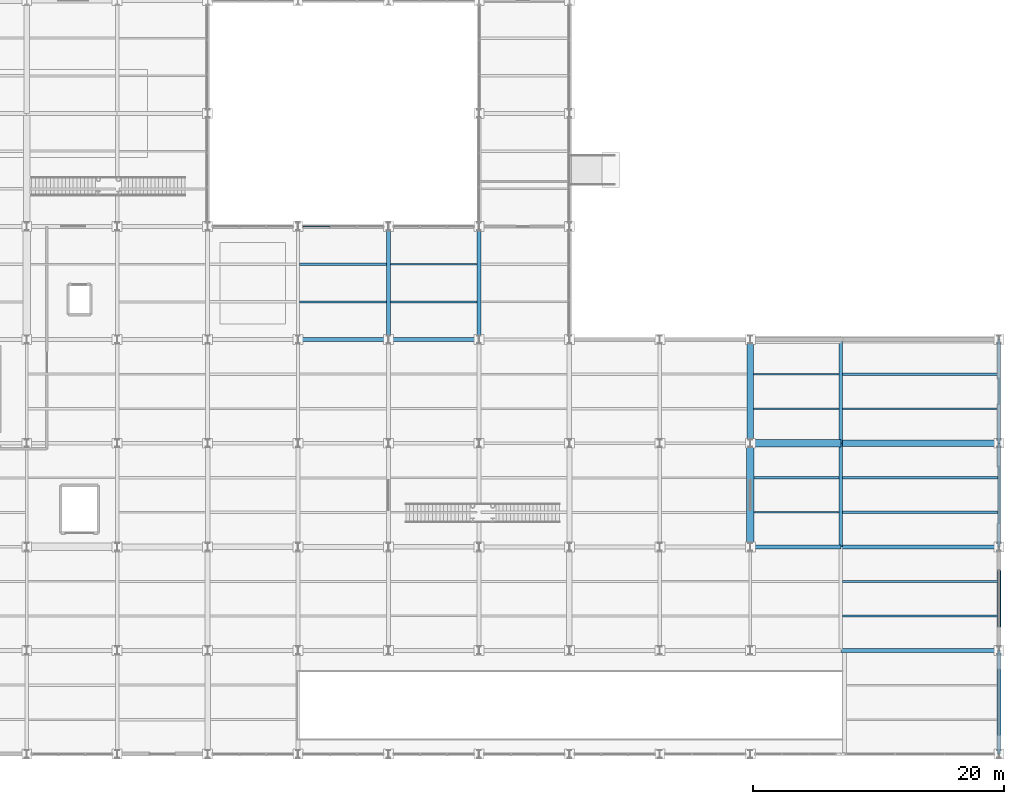
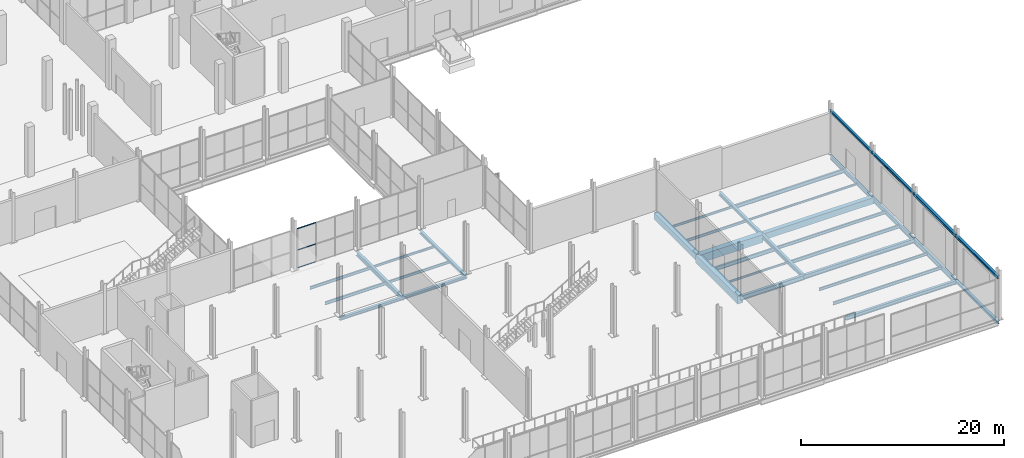
# One storey, part 87 of 144: 35 beams, 3 members, 1 element without a shape of its own.
"""IFC4 building model written with IfcOpenShell, lengths in metres."""

from ifc_helpers import new_model, si_unit, direction, frame, origin, origin_2d, place, context, subcontext, project, spatial, rectangle, hollow_rectangle, i_section, extrude, material, layer, layer_set, material_profile, profile_set, type_object, element, aggregate, save


model = new_model("IFC4")

# Units and contexts
model_context = context("Model", 3, precision=1e-05, world=origin(), true_north=direction((0.0, 1.0)))
body_context = subcontext(model_context, "Body", "Model", "MODEL_VIEW")
ifc_project = project(units=[si_unit("LENGTHUNIT", "METRE"), si_unit("AREAUNIT", "SQUARE_METRE"), si_unit("VOLUMEUNIT", "CUBIC_METRE"), si_unit("PLANEANGLEUNIT", "RADIAN"), si_unit("MASSUNIT", "GRAM", prefix="KILO")], contexts=[model_context])

# Site, building, storey
site_placement = place(None, origin())
site = spatial("IfcSite", under=ifc_project, at=site_placement, CompositionType="ELEMENT")
building_placement = place(site_placement, origin())
building = spatial("IfcBuilding", under=site, at=building_placement, Name="Sundgate Opera House", CompositionType="ELEMENT")
storey_placement = place(building_placement, origin())
storey = spatial("IfcBuildingStorey", under=building, at=storey_placement, Name="L00", CompositionType="ELEMENT", Elevation=0.0)

# Beams
ifc_material_1 = material(Name="Steel S355J2", Category="steel")
ifc_material_profile_1 = material_profile(ifc_material_1, i_section(OverallWidth=0.300048828125, OverallDepth=0.330078125, WebThickness=0.009521484375, FlangeThickness=0.0166015625, at=origin_2d()), Name="HEA 340")
ifc_profile_set_1 = profile_set([ifc_material_profile_1], Name="Steel S355J2")
beam_type_1 = type_object("IfcBeamType", Name="BM-GR-HEA340", PredefinedType="BEAM", material=ifc_profile_set_1)
beam_1_placement = place(storey_placement, frame((180.0, 0.0, -0.485107421875), z_axis=(0.0, 1.0, 0.0), x_axis=(-1.0, 0.0, 0.0)))
element("IfcBeam", 1, at=beam_1_placement, inside=storey, type_object=beam_type_1, Name="L00 Primary N-S Girder B0313", PredefinedType="BEAM", context=body_context, shape_type="SweptSolid", body=[
    extrude(i_section(OverallWidth=0.300048828125, OverallDepth=0.330078125, WebThickness=0.009521484375, FlangeThickness=0.0166015625, at=origin_2d()), origin(), (0.0, 0.0, 1.0), 8.25),
])
beam_2_placement = place(storey_placement, frame((131.39990234375, 33.0, -0.485107421875), z_axis=(1.0, 0.0, 0.0), x_axis=(0.0, 1.0, 0.0)))
element("IfcBeam", 2, at=beam_2_placement, inside=storey, type_object=beam_type_1, Name="L00 Primary E-W Girder B0401", PredefinedType="BEAM", context=body_context, shape_type="SweptSolid", body=[
    extrude(i_section(OverallWidth=0.300048828125, OverallDepth=0.330078125, WebThickness=0.009521484375, FlangeThickness=0.0166015625, at=origin_2d()), origin(), (0.0, 0.0, 1.0), 7.2001953125),
])
ifc_material_2 = material(Name="Steel S355J2", Category="steel")
ifc_material_profile_2 = material_profile(ifc_material_2, i_section(OverallWidth=0.300048828125, OverallDepth=0.35009765625, WebThickness=0.010009765625, FlangeThickness=0.017578125, at=origin_2d()), Name="HEA 360")
ifc_profile_set_2 = profile_set([ifc_material_profile_2], Name="Steel S355J2")
beam_type_2 = type_object("IfcBeamType", Name="BM-GR-HEA360", PredefinedType="BEAM", material=ifc_profile_set_2)
beam_3_placement = place(storey_placement, frame((138.60009765625, 33.0, -0.4951171875), z_axis=(0.0, 1.0, 0.0), x_axis=(-1.0, 0.0, 0.0)))
element("IfcBeam", 3, at=beam_3_placement, inside=storey, type_object=beam_type_2, Name="L00 Primary N-S Girder B0269", PredefinedType="BEAM", context=body_context, shape_type="SweptSolid", body=[
    extrude(i_section(OverallWidth=0.300048828125, OverallDepth=0.35009765625, WebThickness=0.010009765625, FlangeThickness=0.017578125, at=origin_2d()), origin(), (0.0, 0.0, 1.0), 9.0),
])
beam_4_placement = place(storey_placement, frame((124.199951171875, 33.0, -0.4951171875), z_axis=(1.0, 0.0, 0.0), x_axis=(0.0, 1.0, 0.0)))
element("IfcBeam", 4, at=beam_4_placement, inside=storey, type_object=beam_type_2, Name="L00 Primary E-W Girder B0400", PredefinedType="BEAM", context=body_context, shape_type="SweptSolid", body=[
    extrude(i_section(OverallWidth=0.300048828125, OverallDepth=0.35009765625, WebThickness=0.010009765625, FlangeThickness=0.017578125, at=origin_2d()), origin(), (0.0, 0.0, 1.0), 7.199951171875),
])
ifc_material_3 = material(Name="Steel S355J2", Category="steel")
ifc_material_profile_3 = material_profile(ifc_material_3, i_section(OverallWidth=0.300048828125, OverallDepth=0.43994140625, WebThickness=0.011474609375, FlangeThickness=0.02099609375, at=origin_2d()), Name="HEA 450")
ifc_profile_set_3 = profile_set([ifc_material_profile_3], Name="Steel S355J2")
beam_type_3 = type_object("IfcBeamType", Name="BM-GR-HEA450", PredefinedType="BEAM", material=ifc_profile_set_3)
beam_5_placement = place(storey_placement, frame((167.39990234375, 8.25, -0.5400390625), z_axis=(1.0, 0.0, 0.0), x_axis=(0.0, 1.0, 0.0)))
element("IfcBeam", 5, at=beam_5_placement, inside=storey, type_object=beam_type_3, Name="L00 Primary E-W Girder B0354", PredefinedType="BEAM", context=body_context, shape_type="SweptSolid", body=[
    extrude(i_section(OverallWidth=0.300048828125, OverallDepth=0.43994140625, WebThickness=0.011474609375, FlangeThickness=0.02099609375, at=origin_2d()), origin(), (0.0, 0.0, 1.0), 12.60009765625),
])
ifc_material_4 = material(Name="Steel S355J2", Category="steel")
ifc_material_profile_4 = material_profile(ifc_material_4, i_section(OverallWidth=0.300048828125, OverallDepth=0.39990234375, WebThickness=0.013427734375, FlangeThickness=0.02392578125, at=origin_2d()), Name="HEB 400")
ifc_profile_set_4 = profile_set([ifc_material_profile_4], Name="Steel S355J2")
beam_type_4 = type_object("IfcBeamType", Name="BM-GR-HEB400", PredefinedType="BEAM", material=ifc_profile_set_4)
beam_6_placement = place(storey_placement, frame((167.39990234375, 24.75, -0.52001953125), z_axis=(0.0, 1.0, 0.0), x_axis=(-1.0, 0.0, 0.0)))
element("IfcBeam", 6, at=beam_6_placement, inside=storey, type_object=beam_type_4, Name="L00 Primary N-S Girder B0306", PredefinedType="BEAM", context=body_context, shape_type="SweptSolid", body=[
    extrude(i_section(OverallWidth=0.300048828125, OverallDepth=0.39990234375, WebThickness=0.013427734375, FlangeThickness=0.02392578125, at=origin_2d()), origin(), (0.0, 0.0, 1.0), 8.25),
])
ifc_material_5 = material(Name="Steel S355J2", Category="steel")
ifc_material_profile_5 = material_profile(ifc_material_5, i_section(OverallWidth=0.300048828125, OverallDepth=0.449951171875, WebThickness=0.013916015625, FlangeThickness=0.02587890625, at=origin_2d()), Name="HEB 450")
ifc_profile_set_5 = profile_set([ifc_material_profile_5], Name="Steel S355J2")
beam_type_5 = type_object("IfcBeamType", Name="BM-GR-HEB450", PredefinedType="BEAM", material=ifc_profile_set_5)
beam_7_placement = place(storey_placement, frame((167.39990234375, 16.5, -0.544921875), z_axis=(0.0, 1.0, 0.0), x_axis=(-1.0, 0.0, 0.0)))
element("IfcBeam", 7, at=beam_7_placement, inside=storey, type_object=beam_type_5, Name="L00 Primary N-S Girder B0305", PredefinedType="BEAM", context=body_context, shape_type="SweptSolid", body=[
    extrude(i_section(OverallWidth=0.300048828125, OverallDepth=0.449951171875, WebThickness=0.013916015625, FlangeThickness=0.02587890625, at=origin_2d()), origin(), (0.0, 0.0, 1.0), 8.25),
])
ifc_material_6 = material(Name="Steel S355J2", Category="steel")
ifc_material_profile_6 = material_profile(ifc_material_6, i_section(OverallWidth=0.300048828125, OverallDepth=0.5, WebThickness=0.014404296875, FlangeThickness=0.028076171875, at=origin_2d()), Name="HEB 500")
ifc_profile_set_6 = profile_set([ifc_material_profile_6], Name="Steel S355J2")
beam_type_6 = type_object("IfcBeamType", Name="BM-GR-HEB500", PredefinedType="BEAM", material=ifc_profile_set_6)
beam_8_placement = place(storey_placement, frame((131.39990234375, 33.0, -0.570068359375), z_axis=(0.0, 1.0, 0.0), x_axis=(-1.0, 0.0, 0.0)))
element("IfcBeam", 8, at=beam_8_placement, inside=storey, type_object=beam_type_6, Name="L00 Primary N-S Girder B0261", PredefinedType="BEAM", context=body_context, shape_type="SweptSolid", body=[
    extrude(i_section(OverallWidth=0.300048828125, OverallDepth=0.5, WebThickness=0.014404296875, FlangeThickness=0.028076171875, at=origin_2d()), origin(), (0.0, 0.0, 1.0), 9.0),
])
beam_9_placement = place(storey_placement, frame((167.39990234375, 16.5, -0.570068359375), z_axis=(1.0, 0.0, 0.0), x_axis=(0.0, 1.0, 0.0)))
element("IfcBeam", 9, at=beam_9_placement, inside=storey, type_object=beam_type_6, Name="L00 Primary E-W Girder B0370", PredefinedType="BEAM", context=body_context, shape_type="SweptSolid", body=[
    extrude(i_section(OverallWidth=0.300048828125, OverallDepth=0.5, WebThickness=0.014404296875, FlangeThickness=0.028076171875, at=origin_2d()), origin(), (0.0, 0.0, 1.0), 12.60009765625),
])
ifc_material_7 = material(Name="Steel S355J2", Category="steel")
ifc_material_profile_7 = material_profile(ifc_material_7, i_section(OverallWidth=0.300048828125, OverallDepth=0.550048828125, WebThickness=0.014892578125, FlangeThickness=0.029052734375, at=origin_2d()), Name="HEB 550")
ifc_profile_set_7 = profile_set([ifc_material_profile_7], Name="Steel S355J2")
beam_type_7 = type_object("IfcBeamType", Name="BM-GR-HEB550", PredefinedType="BEAM", material=ifc_profile_set_7)
beam_10_placement = place(storey_placement, frame((160.199951171875, 16.5, -0.594970703125), z_axis=(1.0, 0.0, 0.0), x_axis=(0.0, 1.0, 0.0)))
element("IfcBeam", 10, at=beam_10_placement, inside=storey, type_object=beam_type_7, Name="L00 Primary E-W Girder B0369", PredefinedType="BEAM", context=body_context, shape_type="SweptSolid", body=[
    extrude(i_section(OverallWidth=0.300048828125, OverallDepth=0.550048828125, WebThickness=0.014892578125, FlangeThickness=0.029052734375, at=origin_2d()), origin(), (0.0, 0.0, 1.0), 7.199951171875),
])
ifc_material_8 = material(Name="Steel S355J2", Category="steel")
ifc_material_profile_8 = material_profile(ifc_material_8, i_section(OverallWidth=0.199951171875, OverallDepth=0.5, WebThickness=0.01025390625, FlangeThickness=0.01611328125, at=origin_2d()), Name="IPE 500")
ifc_profile_set_8 = profile_set([ifc_material_profile_8], Name="Steel S355J2")
beam_type_8 = type_object("IfcBeamType", Name="BM-GR-IPE500", PredefinedType="BEAM", material=ifc_profile_set_8)
beam_11_placement = place(storey_placement, frame((180.0, 24.75, -0.570068359375), z_axis=(0.0, 1.0, 0.0), x_axis=(-1.0, 0.0, 0.0)))
element("IfcBeam", 11, at=beam_11_placement, inside=storey, type_object=beam_type_8, Name="L00 Primary N-S Girder B0316", PredefinedType="BEAM", context=body_context, shape_type="SweptSolid", body=[
    extrude(i_section(OverallWidth=0.199951171875, OverallDepth=0.5, WebThickness=0.01025390625, FlangeThickness=0.01611328125, at=origin_2d()), origin(), (0.0, 0.0, 1.0), 8.25),
])
ifc_material_9 = material(Name="Steel S355J2", Category="steel")
ifc_material_profile_9 = material_profile(ifc_material_9, i_section(OverallWidth=0.2099609375, OverallDepth=0.550048828125, WebThickness=0.010986328125, FlangeThickness=0.01708984375, at=origin_2d()), Name="IPE 550")
ifc_profile_set_9 = profile_set([ifc_material_profile_9], Name="Steel S355J2")
beam_type_9 = type_object("IfcBeamType", Name="BM-GR-IPE550", PredefinedType="BEAM", material=ifc_profile_set_9)
beam_12_placement = place(storey_placement, frame((180.0, 16.5, -0.594970703125), z_axis=(0.0, 1.0, 0.0), x_axis=(-1.0, 0.0, 0.0)))
element("IfcBeam", 12, at=beam_12_placement, inside=storey, type_object=beam_type_9, Name="L00 Primary N-S Girder B0315", PredefinedType="BEAM", context=body_context, shape_type="SweptSolid", body=[
    extrude(i_section(OverallWidth=0.2099609375, OverallDepth=0.550048828125, WebThickness=0.010986328125, FlangeThickness=0.01708984375, at=origin_2d()), origin(), (0.0, 0.0, 1.0), 8.25),
])
ifc_material_10 = material(Name="Steel S355J2", Category="steel")
ifc_material_profile_10 = material_profile(ifc_material_10, i_section(OverallWidth=0.219970703125, OverallDepth=0.60009765625, WebThickness=0.011962890625, FlangeThickness=0.01904296875, at=origin_2d()), Name="IPE 600")
ifc_profile_set_10 = profile_set([ifc_material_profile_10], Name="Steel S355J2")
beam_type_10 = type_object("IfcBeamType", Name="BM-GR-IPE600", PredefinedType="BEAM", material=ifc_profile_set_10)
beam_13_placement = place(storey_placement, frame((180.0, 8.25, -0.6201171875), z_axis=(0.0, 1.0, 0.0), x_axis=(-1.0, 0.0, 0.0)))
element("IfcBeam", 13, at=beam_13_placement, inside=storey, type_object=beam_type_10, Name="L00 Primary N-S Girder B0314", PredefinedType="BEAM", context=body_context, shape_type="SweptSolid", body=[
    extrude(i_section(OverallWidth=0.219970703125, OverallDepth=0.60009765625, WebThickness=0.011962890625, FlangeThickness=0.01904296875, at=origin_2d()), origin(), (0.0, 0.0, 1.0), 8.25),
])
ifc_material_11 = material(Name="Steel S355J2", Category="steel")
ifc_material_profile_11 = material_profile(ifc_material_11, i_section(OverallWidth=0.1201171875, OverallDepth=0.239990234375, WebThickness=0.006103515625, FlangeThickness=0.009765625, at=origin_2d()), Name="IPE 240")
ifc_profile_set_11 = profile_set([ifc_material_profile_11], Name="Steel S355J2")
beam_type_11 = type_object("IfcBeamType", Name="BM-JS-IPE240", PredefinedType="JOIST", material=ifc_profile_set_11)
beam_14_placement = place(storey_placement, frame((160.5, 19.25, -0.43994140625), z_axis=(1.0, 0.0, 0.0), x_axis=(0.0, 1.0, 0.0)))
element("IfcBeam", 14, at=beam_14_placement, inside=storey, type_object=beam_type_11, Name="L00 Secondary Floor Joist B0678", PredefinedType="JOIST", context=body_context, shape_type="SweptSolid", body=[
    extrude(i_section(OverallWidth=0.1201171875, OverallDepth=0.239990234375, WebThickness=0.006103515625, FlangeThickness=0.009765625, at=origin_2d()), origin(), (0.0, 0.0, 1.0), 6.75),
])
beam_15_placement = place(storey_placement, frame((167.550048828125, 27.5, -0.43994140625), z_axis=(1.0, 0.0, 0.0), x_axis=(0.0, 1.0, 0.0)))
element("IfcBeam", 15, at=beam_15_placement, inside=storey, type_object=beam_type_11, Name="L00 Secondary Floor Joist B0706", PredefinedType="JOIST", context=body_context, shape_type="SweptSolid", body=[
    extrude(i_section(OverallWidth=0.1201171875, OverallDepth=0.239990234375, WebThickness=0.006103515625, FlangeThickness=0.009765625, at=origin_2d()), origin(), (0.0, 0.0, 1.0), 12.349853515625),
])
ifc_material_12 = material(Name="Steel S355J2", Category="steel")
ifc_material_profile_12 = material_profile(ifc_material_12, i_section(OverallWidth=0.135009765625, OverallDepth=0.27001953125, WebThickness=0.006591796875, FlangeThickness=0.01025390625, at=origin_2d()), Name="IPE 270")
ifc_profile_set_12 = profile_set([ifc_material_profile_12], Name="Steel S355J2")
beam_type_12 = type_object("IfcBeamType", Name="BM-JS-IPE270", PredefinedType="JOIST", material=ifc_profile_set_12)
beam_16_placement = place(storey_placement, frame((160.449951171875, 30.25, -0.455078125), z_axis=(1.0, 0.0, 0.0), x_axis=(0.0, 1.0, 0.0)))
element("IfcBeam", 16, at=beam_16_placement, inside=storey, type_object=beam_type_12, Name="L00 Secondary Floor Joist B0705", PredefinedType="JOIST", context=body_context, shape_type="SweptSolid", body=[
    extrude(i_section(OverallWidth=0.135009765625, OverallDepth=0.27001953125, WebThickness=0.006591796875, FlangeThickness=0.01025390625, at=origin_2d()), origin(), (0.0, 0.0, 1.0), 6.800048828125),
])
beam_17_placement = place(storey_placement, frame((131.550048828125, 39.0, -0.455078125), z_axis=(1.0, 0.0, 0.0), x_axis=(0.0, 1.0, 0.0)))
element("IfcBeam", 17, at=beam_17_placement, inside=storey, type_object=beam_type_12, Name="L00 Secondary Floor Joist B0740", PredefinedType="JOIST", context=body_context, shape_type="SweptSolid", body=[
    extrude(i_section(OverallWidth=0.135009765625, OverallDepth=0.27001953125, WebThickness=0.006591796875, FlangeThickness=0.01025390625, at=origin_2d()), origin(), (0.0, 0.0, 1.0), 6.89990234375),
])
ifc_material_13 = material(Name="Steel S355J2", Category="steel")
ifc_material_profile_13 = material_profile(ifc_material_13, i_section(OverallWidth=0.14990234375, OverallDepth=0.300048828125, WebThickness=0.007080078125, FlangeThickness=0.0107421875, at=origin_2d()), Name="IPE 300")
ifc_profile_set_13 = profile_set([ifc_material_profile_13], Name="Steel S355J2")
beam_type_13 = type_object("IfcBeamType", Name="BM-JS-IPE300", PredefinedType="JOIST", material=ifc_profile_set_13)
beam_18_placement = place(storey_placement, frame((160.449951171875, 27.5, -0.469970703125), z_axis=(1.0, 0.0, 0.0), x_axis=(0.0, 1.0, 0.0)))
element("IfcBeam", 18, at=beam_18_placement, inside=storey, type_object=beam_type_13, Name="L00 Secondary Floor Joist B0704", PredefinedType="JOIST", context=body_context, shape_type="SweptSolid", body=[
    extrude(i_section(OverallWidth=0.14990234375, OverallDepth=0.300048828125, WebThickness=0.007080078125, FlangeThickness=0.0107421875, at=origin_2d()), origin(), (0.0, 0.0, 1.0), 6.800048828125),
])
beam_19_placement = place(storey_placement, frame((131.550048828125, 36.0, -0.469970703125), z_axis=(1.0, 0.0, 0.0), x_axis=(0.0, 1.0, 0.0)))
element("IfcBeam", 19, at=beam_19_placement, inside=storey, type_object=beam_type_13, Name="L00 Secondary Floor Joist B0739", PredefinedType="JOIST", context=body_context, shape_type="SweptSolid", body=[
    extrude(i_section(OverallWidth=0.14990234375, OverallDepth=0.300048828125, WebThickness=0.007080078125, FlangeThickness=0.0107421875, at=origin_2d()), origin(), (0.0, 0.0, 1.0), 6.89990234375),
])
ifc_material_14 = material(Name="Steel S355J2", Category="steel")
ifc_material_profile_14 = material_profile(ifc_material_14, i_section(OverallWidth=0.159912109375, OverallDepth=0.330078125, WebThickness=0.007568359375, FlangeThickness=0.011474609375, at=origin_2d()), Name="IPE 330")
ifc_profile_set_14 = profile_set([ifc_material_profile_14], Name="Steel S355J2")
beam_type_14 = type_object("IfcBeamType", Name="BM-JS-IPE330", PredefinedType="JOIST", material=ifc_profile_set_14)
beam_20_placement = place(storey_placement, frame((167.550048828125, 13.75, -0.485107421875), z_axis=(1.0, 0.0, 0.0), x_axis=(0.0, 1.0, 0.0)))
element("IfcBeam", 20, at=beam_20_placement, inside=storey, type_object=beam_type_14, Name="L00 Secondary Floor Joist B0654", PredefinedType="JOIST", context=body_context, shape_type="SweptSolid", body=[
    extrude(i_section(OverallWidth=0.159912109375, OverallDepth=0.330078125, WebThickness=0.007568359375, FlangeThickness=0.011474609375, at=origin_2d()), origin(), (0.0, 0.0, 1.0), 12.33984375),
])
beam_21_placement = place(storey_placement, frame((124.304931640625, 39.0, -0.485107421875), z_axis=(1.0, 0.0, 0.0), x_axis=(0.0, 1.0, 0.0)))
element("IfcBeam", 21, at=beam_21_placement, inside=storey, type_object=beam_type_14, Name="L00 Secondary Floor Joist B0738", PredefinedType="JOIST", context=body_context, shape_type="SweptSolid", body=[
    extrude(i_section(OverallWidth=0.159912109375, OverallDepth=0.330078125, WebThickness=0.007568359375, FlangeThickness=0.011474609375, at=origin_2d()), origin(), (0.0, 0.0, 1.0), 6.945068359375),
])
ifc_material_15 = material(Name="Steel S355J2", Category="steel")
ifc_material_profile_15 = material_profile(ifc_material_15, i_section(OverallWidth=0.169921875, OverallDepth=0.360107421875, WebThickness=0.008056640625, FlangeThickness=0.0126953125, at=origin_2d()), Name="IPE 360")
ifc_profile_set_15 = profile_set([ifc_material_profile_15], Name="Steel S355J2")
beam_type_15 = type_object("IfcBeamType", Name="BM-JS-IPE360", PredefinedType="JOIST", material=ifc_profile_set_15)
beam_22_placement = place(storey_placement, frame((167.550048828125, 11.0, -0.5), z_axis=(1.0, 0.0, 0.0), x_axis=(0.0, 1.0, 0.0)))
element("IfcBeam", 22, at=beam_22_placement, inside=storey, type_object=beam_type_15, Name="L00 Secondary Floor Joist B0653", PredefinedType="JOIST", context=body_context, shape_type="SweptSolid", body=[
    extrude(i_section(OverallWidth=0.169921875, OverallDepth=0.360107421875, WebThickness=0.008056640625, FlangeThickness=0.0126953125, at=origin_2d()), origin(), (0.0, 0.0, 1.0), 12.33984375),
])
beam_23_placement = place(storey_placement, frame((167.550048828125, 22.0, -0.5), z_axis=(1.0, 0.0, 0.0), x_axis=(0.0, 1.0, 0.0)))
element("IfcBeam", 23, at=beam_23_placement, inside=storey, type_object=beam_type_15, Name="L00 Secondary Floor Joist B0681", PredefinedType="JOIST", context=body_context, shape_type="SweptSolid", body=[
    extrude(i_section(OverallWidth=0.169921875, OverallDepth=0.360107421875, WebThickness=0.008056640625, FlangeThickness=0.0126953125, at=origin_2d()), origin(), (0.0, 0.0, 1.0), 12.344970703125),
])
beam_24_placement = place(storey_placement, frame((124.304931640625, 36.0, -0.5), z_axis=(1.0, 0.0, 0.0), x_axis=(0.0, 1.0, 0.0)))
element("IfcBeam", 24, at=beam_24_placement, inside=storey, type_object=beam_type_15, Name="L00 Secondary Floor Joist B0737", PredefinedType="JOIST", context=body_context, shape_type="SweptSolid", body=[
    extrude(i_section(OverallWidth=0.169921875, OverallDepth=0.360107421875, WebThickness=0.008056640625, FlangeThickness=0.0126953125, at=origin_2d()), origin(), (0.0, 0.0, 1.0), 6.945068359375),
])
ifc_material_16 = material(Name="Steel S355J2", Category="steel")
ifc_material_profile_16 = material_profile(ifc_material_16, i_section(OverallWidth=0.179931640625, OverallDepth=0.39990234375, WebThickness=0.008544921875, FlangeThickness=0.013427734375, at=origin_2d()), Name="IPE 400")
ifc_profile_set_16 = profile_set([ifc_material_profile_16], Name="Steel S355J2")
beam_type_16 = type_object("IfcBeamType", Name="BM-JS-IPE400", PredefinedType="JOIST", material=ifc_profile_set_16)
beam_25_placement = place(storey_placement, frame((167.550048828125, 19.25, -0.52001953125), z_axis=(1.0, 0.0, 0.0), x_axis=(0.0, 1.0, 0.0)))
element("IfcBeam", 25, at=beam_25_placement, inside=storey, type_object=beam_type_16, Name="L00 Secondary Floor Joist B0680", PredefinedType="JOIST", context=body_context, shape_type="SweptSolid", body=[
    extrude(i_section(OverallWidth=0.179931640625, OverallDepth=0.39990234375, WebThickness=0.008544921875, FlangeThickness=0.013427734375, at=origin_2d()), origin(), (0.0, 0.0, 1.0), 12.344970703125),
])
ifc_material_17 = material(Name="Steel S355J2", Category="steel")
ifc_material_profile_17 = material_profile(ifc_material_17, i_section(OverallWidth=0.18994140625, OverallDepth=0.449951171875, WebThickness=0.009521484375, FlangeThickness=0.0146484375, at=origin_2d()), Name="IPE 450")
ifc_profile_set_17 = profile_set([ifc_material_profile_17], Name="Steel S355J2")
beam_type_17 = type_object("IfcBeamType", Name="BM-JS-IPE450", PredefinedType="JOIST", material=ifc_profile_set_17)
beam_26_placement = place(storey_placement, frame((160.5, 22.0, -0.544921875), z_axis=(1.0, 0.0, 0.0), x_axis=(0.0, 1.0, 0.0)))
element("IfcBeam", 26, at=beam_26_placement, inside=storey, type_object=beam_type_17, Name="L00 Secondary Floor Joist B0679", PredefinedType="JOIST", context=body_context, shape_type="SweptSolid", body=[
    extrude(i_section(OverallWidth=0.18994140625, OverallDepth=0.449951171875, WebThickness=0.009521484375, FlangeThickness=0.0146484375, at=origin_2d()), origin(), (0.0, 0.0, 1.0), 6.75),
])
beam_27_placement = place(storey_placement, frame((167.550048828125, 30.25, -0.544921875), z_axis=(1.0, 0.0, 0.0), x_axis=(0.0, 1.0, 0.0)))
element("IfcBeam", 27, at=beam_27_placement, inside=storey, type_object=beam_type_17, Name="L00 Secondary Floor Joist B0707", PredefinedType="JOIST", context=body_context, shape_type="SweptSolid", body=[
    extrude(i_section(OverallWidth=0.18994140625, OverallDepth=0.449951171875, WebThickness=0.009521484375, FlangeThickness=0.0146484375, at=origin_2d()), origin(), (0.0, 0.0, 1.0), 12.349853515625),
])
ifc_material_18 = material(Name="Steel S355J2", Category="steel")
ifc_material_profile_18 = material_profile(ifc_material_18, i_section(OverallWidth=0.260009765625, OverallDepth=0.25, WebThickness=0.007568359375, FlangeThickness=0.012451171875, at=origin_2d()), Name="HEA 260")
ifc_profile_set_18 = profile_set([ifc_material_profile_18], Name="Steel S355J2")
beam_type_18 = type_object("IfcBeamType", Name="BM-LN-HEA260", PredefinedType="LINTEL", material=ifc_profile_set_18)
for number, where, z_axis, x_axis, name in (
    (28, (180.0, 16.5, 4.949951171875), (0.0, 1.0, 0.0), (-1.0, 0.0, 0.0), "L00 Logistics Portal Lintel B3335"),
    (29, (180.0, 24.75, 4.949951171875), (0.0, 1.0, 0.0), (-1.0, 0.0, 0.0), "L00 Logistics Portal Lintel B3336"),
):
    element("IfcBeam", number, at=place(storey_placement, frame(where, z_axis=z_axis, x_axis=x_axis)), inside=storey, type_object=beam_type_18, Name=name, PredefinedType="LINTEL", context=body_context, shape_type="SweptSolid", body=[
        extrude(i_section(OverallWidth=0.260009765625, OverallDepth=0.25, WebThickness=0.007568359375, FlangeThickness=0.012451171875, at=origin_2d()), origin(), (0.0, 0.0, 1.0), 8.25),
    ])
ifc_material_19 = material(Name="Steel S355J2", Category="steel")
ifc_material_profile_19 = material_profile(ifc_material_19, i_section(OverallWidth=0.300048828125, OverallDepth=0.2900390625, WebThickness=0.008544921875, FlangeThickness=0.013916015625, at=origin_2d()), Name="HEA 300")
ifc_profile_set_19 = profile_set([ifc_material_profile_19], Name="Steel S355J2")
beam_type_19 = type_object("IfcBeamType", Name="BM-LN-HEA300", PredefinedType="LINTEL", material=ifc_profile_set_19)
for number, where, z_axis, x_axis, name in (
    (30, (180.0, 0.0, 4.949951171875), (0.0, 1.0, 0.0), (-1.0, 0.0, 0.0), "L00 Logistics Portal Lintel B3333"),
    (31, (180.0, 8.25, 4.949951171875), (0.0, 1.0, 0.0), (-1.0, 0.0, 0.0), "L00 Logistics Portal Lintel B3334"),
):
    element("IfcBeam", number, at=place(storey_placement, frame(where, z_axis=z_axis, x_axis=x_axis)), inside=storey, type_object=beam_type_19, Name=name, PredefinedType="LINTEL", context=body_context, shape_type="SweptSolid", body=[
        extrude(i_section(OverallWidth=0.300048828125, OverallDepth=0.2900390625, WebThickness=0.008544921875, FlangeThickness=0.013916015625, at=origin_2d()), origin(), (0.0, 0.0, 1.0), 8.25),
    ])
ifc_material_20 = material(Name="Concrete C40/50", Category="concrete")
ifc_material_profile_20 = material_profile(ifc_material_20, rectangle(XDim=0.5, YDim=0.75, at=origin_2d()), Name="RC 500x750")
ifc_profile_set_20 = profile_set([ifc_material_profile_20], Name="Concrete C40/50")
beam_type_20 = type_object("IfcBeamType", Name="BM-RC-500x750", PredefinedType="BEAM", material=ifc_profile_set_20)
beam_28_placement = place(storey_placement, frame((160.199951171875, 24.75, -0.695068359375), z_axis=(0.0, 1.0, 0.0), x_axis=(-1.0, 0.0, 0.0)))
element("IfcBeam", 32, at=beam_28_placement, inside=storey, type_object=beam_type_20, Name="L00 Primary N-S Girder B0297", PredefinedType="BEAM", context=body_context, shape_type="SweptSolid", body=[
    extrude(rectangle(XDim=0.5, YDim=0.75, at=origin_2d()), origin(), (0.0, 0.0, 1.0), 8.25),
])
beam_29_placement = place(storey_placement, frame((167.39990234375, 24.75, -0.695068359375), z_axis=(1.0, 0.0, 0.0), x_axis=(0.0, 1.0, 0.0)))
element("IfcBeam", 33, at=beam_29_placement, inside=storey, type_object=beam_type_20, Name="L00 Primary E-W Girder B0384", PredefinedType="BEAM", context=body_context, shape_type="SweptSolid", body=[
    extrude(rectangle(XDim=0.5, YDim=0.75, at=origin_2d()), origin(), (0.0, 0.0, 1.0), 12.60009765625),
])
ifc_material_21 = material(Name="Concrete C40/50", Category="concrete")
ifc_material_profile_21 = material_profile(ifc_material_21, rectangle(XDim=0.60009765625, YDim=0.949951171875, at=origin_2d()), Name="RC 600x950")
ifc_profile_set_21 = profile_set([ifc_material_profile_21], Name="Concrete C40/50")
beam_type_21 = type_object("IfcBeamType", Name="BM-RC-600x950", PredefinedType="BEAM", material=ifc_profile_set_21)
beam_30_placement = place(storey_placement, frame((160.199951171875, 16.5, -0.794921875), z_axis=(0.0, 1.0, 0.0), x_axis=(-1.0, 0.0, 0.0)))
element("IfcBeam", 34, at=beam_30_placement, inside=storey, type_object=beam_type_21, Name="L00 Primary N-S Girder B0296", PredefinedType="BEAM", context=body_context, shape_type="SweptSolid", body=[
    extrude(rectangle(XDim=0.60009765625, YDim=0.949951171875, at=origin_2d()), origin(), (0.0, 0.0, 1.0), 8.25),
])
beam_31_placement = place(storey_placement, frame((160.199951171875, 24.75, -0.794921875), z_axis=(1.0, 0.0, 0.0), x_axis=(0.0, 1.0, 0.0)))
element("IfcBeam", 35, at=beam_31_placement, inside=storey, type_object=beam_type_21, Name="L00 Primary E-W Girder B0383", PredefinedType="BEAM", context=body_context, shape_type="SweptSolid", body=[
    extrude(rectangle(XDim=0.60009765625, YDim=0.949951171875, at=origin_2d()), origin(), (0.0, 0.0, 1.0), 7.199951171875),
])

# Curtain wall, members
ifc_material_22 = material(Name="Anodized aluminium and low-iron glass", Category="aluminium")
ifc_layer = layer(ifc_material_22, 0.159912109375)
ifc_layer_set = layer_set([ifc_layer], Name="Anodized aluminium and low-iron glass")
curtain_wall_type = type_object("IfcCurtainWallType", Name="CW-STUDIO-DARK", PredefinedType="NOTDEFINED", material=ifc_layer_set)
curtain_wall_placement = place(storey_placement, origin())
curtain_wall = element("IfcCurtainWall", 36, at=curtain_wall_placement, inside=storey, type_object=curtain_wall_type, Name="L00 Curtain Wall CW036", PredefinedType="NOTDEFINED")
ifc_material_23 = material(Name="Anodized aluminium EN AW-6063", Category="aluminium")
ifc_material_profile_22 = material_profile(ifc_material_23, hollow_rectangle(XDim=0.054931640625, YDim=0.1201171875, WallThickness=0.00390625, at=origin_2d()), Name="CWT 120x55x4")
ifc_profile_set_22 = profile_set([ifc_material_profile_22], Name="Anodized aluminium EN AW-6063")
member_type = type_object("IfcMemberType", Name="CWT-ALU-120x55", PredefinedType="USERDEFINED", material=ifc_profile_set_22)
member_1_placement = place(storey_placement, frame((124.60009765625, 42.0, 0.0), z_axis=(1.0, 0.0, 0.0), x_axis=(0.0, 1.0, 0.0)))
member_1 = element("IfcMember", 37, at=member_1_placement, type_object=member_type, Name="CW036 Transom 1", ObjectType="TRANSOM", PredefinedType="USERDEFINED", context=body_context, shape_type="SweptSolid", body=[
    extrude(hollow_rectangle(XDim=0.054931640625, YDim=0.1201171875, WallThickness=0.00390625, at=origin_2d()), origin(), (0.0, 0.0, 1.0), 2.13330078125),
])
member_2_placement = place(storey_placement, frame((124.60009765625, 42.0, 2.14990234375), z_axis=(1.0, 0.0, 0.0), x_axis=(0.0, 1.0, 0.0)))
member_2 = element("IfcMember", 38, at=member_2_placement, type_object=member_type, Name="CW036 Transom 2", ObjectType="TRANSOM", PredefinedType="USERDEFINED", context=body_context, shape_type="SweptSolid", body=[
    extrude(hollow_rectangle(XDim=0.054931640625, YDim=0.1201171875, WallThickness=0.00390625, at=origin_2d()), origin(), (0.0, 0.0, 1.0), 2.13330078125),
])
member_3_placement = place(storey_placement, frame((124.60009765625, 42.0, 4.715087890625), z_axis=(1.0, 0.0, 0.0), x_axis=(0.0, 1.0, 0.0)))
member_3 = element("IfcMember", 39, at=member_3_placement, type_object=member_type, Name="CW036 Transom 3", ObjectType="TRANSOM", PredefinedType="USERDEFINED", context=body_context, shape_type="SweptSolid", body=[
    extrude(hollow_rectangle(XDim=0.054931640625, YDim=0.1201171875, WallThickness=0.00390625, at=origin_2d()), origin(), (0.0, 0.0, 1.0), 2.13330078125),
])
aggregate(curtain_wall, [member_1, member_2, member_3])

save(model, "model.ifc")
